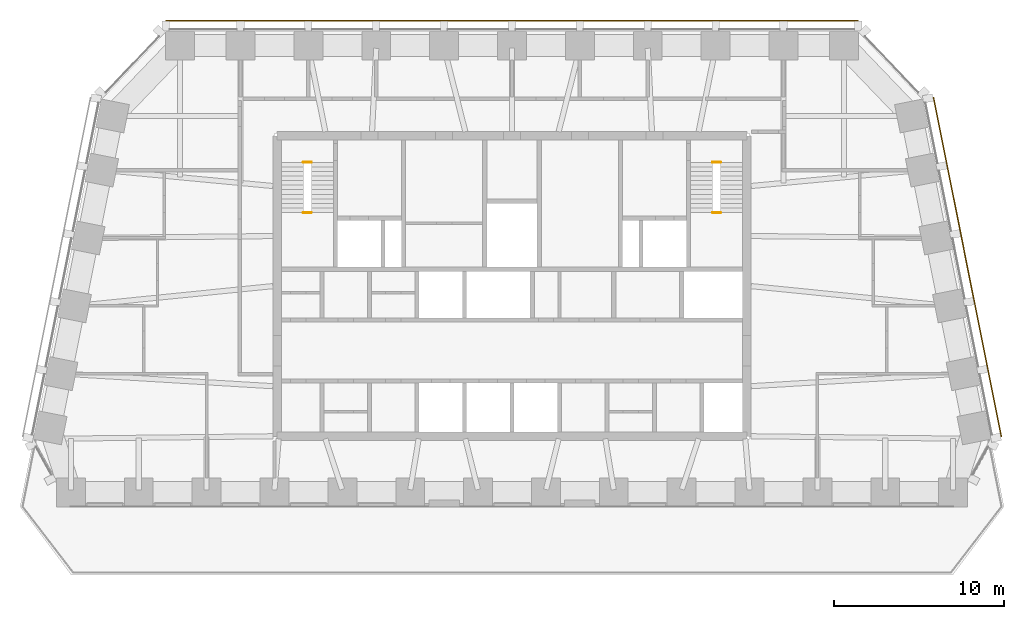
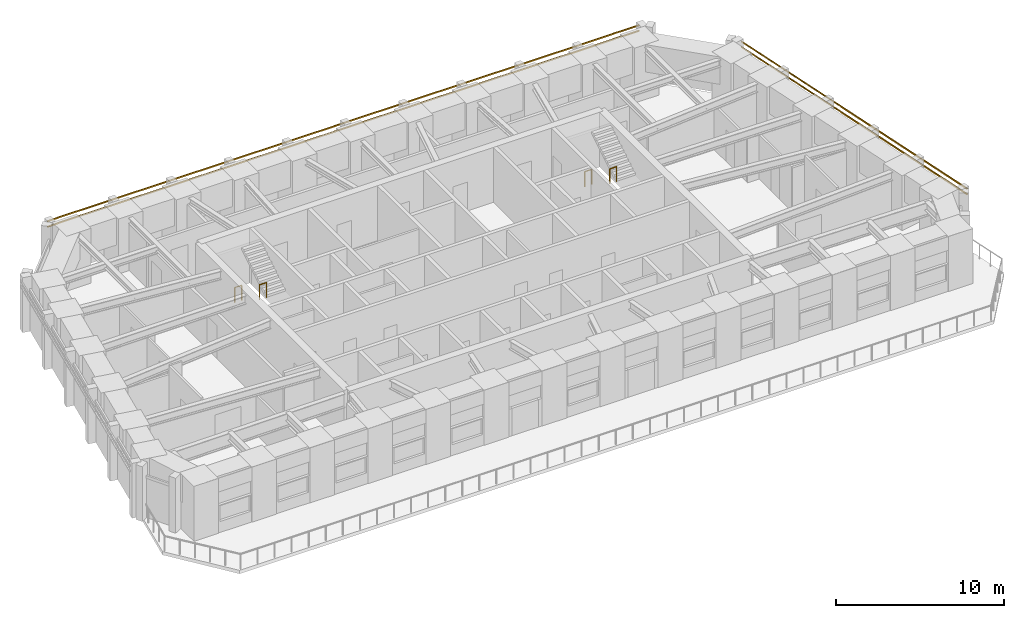
# One storey, part 9 of 9: 4 railings, 4 shading devices.
"""IFC4 building model written with IfcOpenShell, lengths in metres."""

from ifc_helpers import new_model, si_unit, direction, frame, origin, origin_2d, place, context, subcontext, project, spatial, rectangle, circle, extrude, material, material_profile, profile_set, type_object, element, save


model = new_model("IFC4")

# Units and contexts
model_context = context("Model", 3, precision=1e-05, world=origin(), true_north=direction((0.0, 1.0)))
body_context = subcontext(model_context, "Body", "Model", "MODEL_VIEW")
ifc_project = project(units=[si_unit("LENGTHUNIT", "METRE"), si_unit("AREAUNIT", "SQUARE_METRE"), si_unit("VOLUMEUNIT", "CUBIC_METRE"), si_unit("PLANEANGLEUNIT", "RADIAN"), si_unit("MASSUNIT", "GRAM", prefix="KILO")], contexts=[model_context])

# Site, building, storey
site_placement = place(None, origin())
site = spatial("IfcSite", under=ifc_project, at=site_placement, CompositionType="ELEMENT")
building_placement = place(site_placement, origin())
building = spatial("IfcBuilding", under=site, at=building_placement, Name="Isbrekke Arena Tower", CompositionType="ELEMENT")
storey_placement = place(building_placement, frame((0.0, 0.0, 308.0)))
storey = spatial("IfcBuildingStorey", under=building, at=storey_placement, Name="L72", CompositionType="ELEMENT", Elevation=308.0)

# Shading devices
ifc_material_1 = material(Name="Terracotta", Category="masonry")
ifc_material_profile = material_profile(ifc_material_1, rectangle(XDim=0.06005859375, YDim=0.06005859375, at=origin_2d()), Name="BAGUETTE 60X60")
ifc_profile_set = profile_set([ifc_material_profile], Name="Terracotta")
shading_device_type = type_object("IfcShadingDeviceType", Name="BG1 TERRACOTTA BAGUETTE 60 x 60", PredefinedType="USERDEFINED", material=ifc_profile_set)
for number, where, z_axis, x_axis, name in (
    (1, (28.84228515625, 6.12841796875, 3.280029296875), (-0.196116135138, 0.980580675691, 0.0), (-0.980580675691, -0.196116135138, 0.0), "BG1 terracotta baguette E1 L72"),
    (2, (28.84228515625, 6.12841796875, 3.679931640625), (-0.196116135138, 0.980580675691, 0.0), (-0.980580675691, -0.196116135138, 0.0), "BG1 terracotta baguette E2 L72"),
):
    element("IfcShadingDevice", number, at=place(storey_placement, frame(where, z_axis=z_axis, x_axis=x_axis)), inside=storey, type_object=shading_device_type, Name=name, ObjectType="TERRACOTTA BAGUETTE", PredefinedType="USERDEFINED", context=body_context, shape_type="SweptSolid", body=[
        extrude(rectangle(XDim=0.06005859375, YDim=0.06005859375, at=origin_2d()), origin(), (0.0, 0.0, 1.0), 20.39599609375),
    ])
for number, where, z_axis, x_axis, name in (
    (3, (20.39990234375, 30.655029296875, 3.280029296875), (-1.0, 0.0, 0.0), (0.0, -1.0, 0.0), "BG1 terracotta baguette N1 L72"),
    (4, (20.39990234375, 30.655029296875, 3.679931640625), (-1.0, 0.0, 0.0), (0.0, -1.0, 0.0), "BG1 terracotta baguette N2 L72"),
):
    element("IfcShadingDevice", number, at=place(storey_placement, frame(where, z_axis=z_axis, x_axis=x_axis)), inside=storey, type_object=shading_device_type, Name=name, ObjectType="TERRACOTTA BAGUETTE", PredefinedType="USERDEFINED", context=body_context, shape_type="SweptSolid", body=[
        extrude(rectangle(XDim=0.06005859375, YDim=0.06005859375, at=origin_2d()), origin(), (0.0, 0.0, 1.0), 40.7998046875),
    ])

# Railings
ifc_material_2 = material(Name="Steel stair guard, vertical bars, steel handrail", Category="steel")
railing_type = type_object("IfcRailingType", Name="GR3 STAIR WELL GUARD 1100", PredefinedType="GUARDRAIL", material=ifc_material_2)
for number, where, name in (
    (5, (-12.300048828125, 22.300048828125, 0.0), "GR3 stair well guard ST1 L72"),
    (6, (-12.300048828125, 19.330078125, 2.0), "GR3 stair well guard ST1 L72"),
    (7, (11.824951171875, 22.300048828125, 0.0), "GR3 stair well guard ST2 L72"),
    (8, (11.824951171875, 19.330078125, 2.0), "GR3 stair well guard ST2 L72"),
):
    element("IfcRailing", number, at=place(storey_placement, frame(where)), inside=storey, type_object=railing_type, Name=name, PredefinedType="GUARDRAIL", context=body_context, shape_type="SweptSolid", body=[
        extrude(circle(Radius=0.02392578125, at=origin_2d()), frame((0.0, 0.0, 1.076171875), z_axis=(1.0, 0.0, 0.0), x_axis=(0.0, 1.0, 0.0)), (0.0, 0.0, 1.0), 0.47509765625),
        extrude(circle(Radius=0.02099609375, at=origin_2d()), origin(), (0.0, 0.0, 1.0), 1.052001953125),
        extrude(circle(Radius=0.02099609375, at=origin_2d()), frame((0.47509765625, 0.0, 0.0)), (0.0, 0.0, 1.0), 1.052001953125),
    ])

save(model, "model.ifc")
